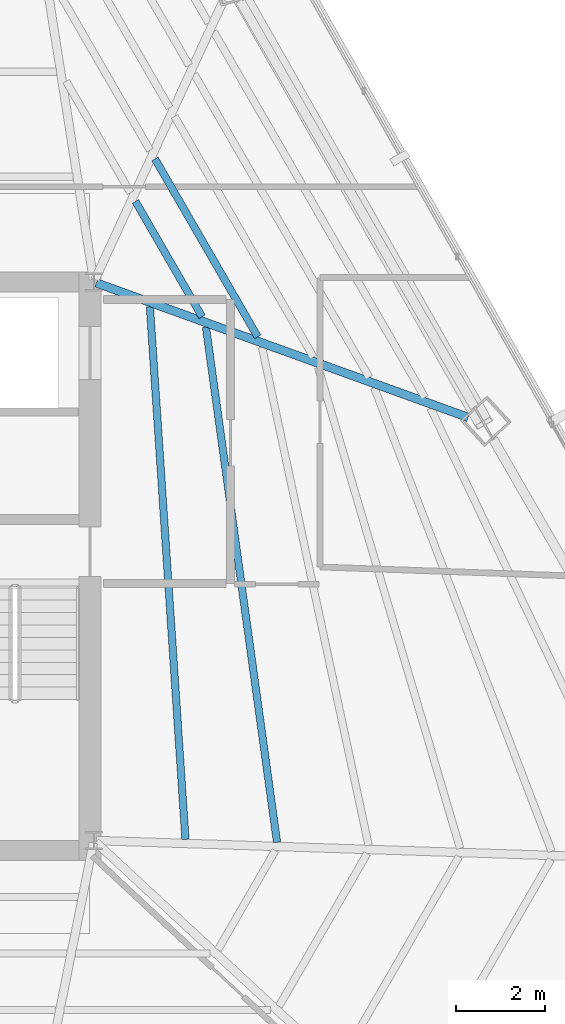
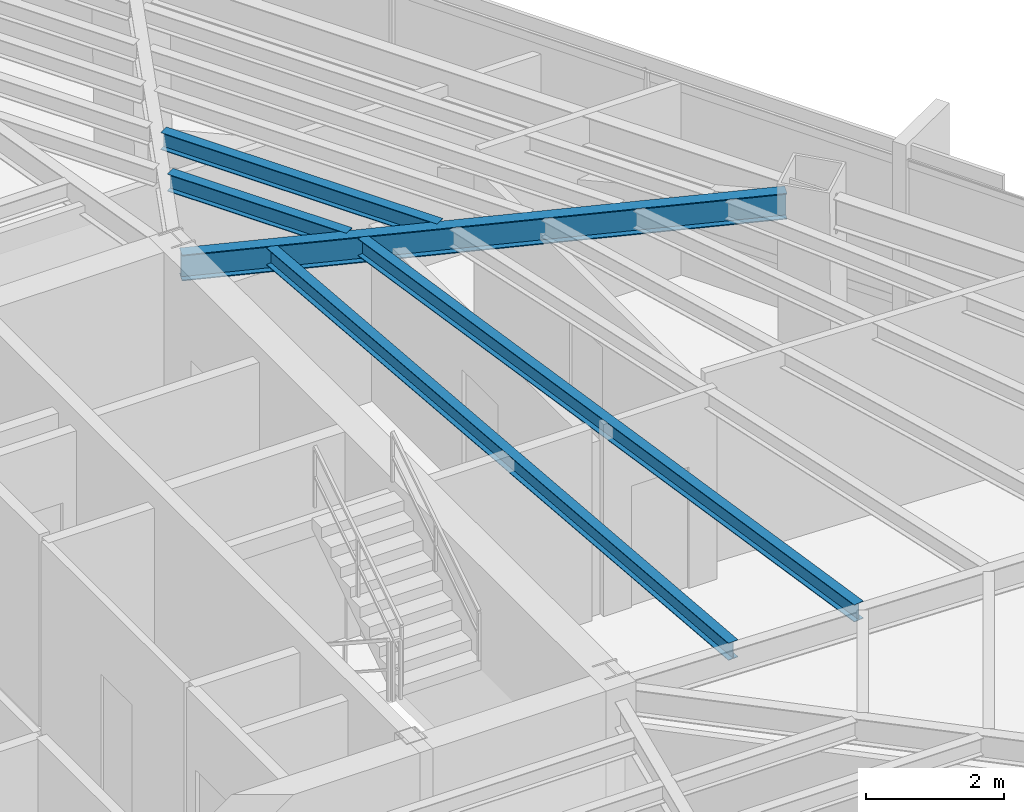
# One storey, part 25 of 41: 5 beams.
"""IFC4 building model written with IfcOpenShell, lengths in metres."""

from ifc_helpers import new_model, si_unit, direction, frame, origin, origin_2d, place, context, subcontext, project, spatial, i_section, extrude, source, transform, mapped, material, material_profile, profile_set, type_object, type_shapes, element, save


model = new_model("IFC4")

# Units and contexts
model_context = context("Model", 3, precision=1e-05, world=origin(), true_north=direction((0.0, 1.0)))
body_context = subcontext(model_context, "Body", "Model", "MODEL_VIEW")
ifc_project = project(units=[si_unit("LENGTHUNIT", "METRE"), si_unit("AREAUNIT", "SQUARE_METRE"), si_unit("VOLUMEUNIT", "CUBIC_METRE"), si_unit("PLANEANGLEUNIT", "RADIAN"), si_unit("MASSUNIT", "GRAM", prefix="KILO")], contexts=[model_context])

# Site, building, storey
site_placement = place(None, origin())
site = spatial("IfcSite", under=ifc_project, at=site_placement, CompositionType="ELEMENT")
building_placement = place(site_placement, origin())
building = spatial("IfcBuilding", under=site, at=building_placement, Name="Caelisora Broadcast Tower", CompositionType="ELEMENT")
storey_placement = place(building_placement, frame((0.0, 0.0, 209.60009765625)))
storey = spatial("IfcBuildingStorey", under=building, at=storey_placement, Name="L55", CompositionType="ELEMENT", Elevation=209.60009765625)

# Beams
ifc_material = material(Name="Steel Grade 350 (AS/NZS 3679.1)", Category="steel")
ifc_material_profile_1 = material_profile(ifc_material, i_section(OverallWidth=0.19091796875, OverallDepth=0.46044921875, WebThickness=0.010009765625, FlangeThickness=0.01611328125, at=origin_2d()), Name="Steel Grade 350 (AS/NZS 3679.1)")
ifc_profile_set_1 = profile_set([ifc_material_profile_1], Name="Steel Grade 350 (AS/NZS 3679.1)")
beam_type_1 = type_object("IfcBeamType", Name="PG06", PredefinedType="BEAM", material=ifc_profile_set_1)
shared_shape_1 = source(origin(), body_context, "Body", "SweptSolid", [
    extrude(i_section(OverallWidth=0.19091796875, OverallDepth=0.46044921875, WebThickness=0.010009765625, FlangeThickness=0.01611328125, at=origin_2d()), origin(), (0.0, 0.0, 1.0), 8.921142578125),
])
type_shapes(beam_type_1, [shared_shape_1])
beam_1_placement = place(storey_placement, frame((45.556396484375, 29.9794921875, 3.169677734375), z_axis=(0.940315682297, -0.340303419946, 0.0), x_axis=(0.340303419946, 0.940315682297, 0.0)))
element("IfcBeam", 1, at=beam_1_placement, inside=storey, type_object=beam_type_1, Name="L55 beam PG06", PredefinedType="BEAM", context=body_context, shape_type="MappedRepresentation", body=[
    mapped(shared_shape_1, transform((0.0, 0.0, 0.0), scale=1.0)),
])
ifc_material_profile_2 = material_profile(ifc_material, i_section(OverallWidth=0.166015625, OverallDepth=0.30712890625, WebThickness=0.006591796875, FlangeThickness=0.01171875, at=origin_2d()), Name="Steel Grade 350 (AS/NZS 3679.1)")
ifc_profile_set_2 = profile_set([ifc_material_profile_2], Name="Steel Grade 350 (AS/NZS 3679.1)")
beam_type_2 = type_object("IfcBeamType", Name="SB03", PredefinedType="JOIST", material=ifc_profile_set_2)
shared_shape_2 = source(origin(), body_context, "Body", "SweptSolid", [
    extrude(i_section(OverallWidth=0.166015625, OverallDepth=0.30712890625, WebThickness=0.006591796875, FlangeThickness=0.01171875, at=origin_2d()), origin(), (0.0, 0.0, 1.0), 3.00390625),
])
beam_2_placement = place(storey_placement, frame((47.941162109375, 29.216064453125, 3.246337890625), z_axis=(-0.499985098601, 0.86603400694, 0.0), x_axis=(-0.86603400694, -0.499985098601, 0.0)))
element("IfcBeam", 2, at=beam_2_placement, inside=storey, type_object=beam_type_2, Name="L55 beam SB03", PredefinedType="JOIST", context=body_context, shape_type="MappedRepresentation", body=[
    mapped(shared_shape_2, transform((0.0, 0.0, 0.0), scale=1.0)),
])
shared_shape_3 = source(origin(), body_context, "Body", "SweptSolid", [
    extrude(i_section(OverallWidth=0.166015625, OverallDepth=0.30712890625, WebThickness=0.006591796875, FlangeThickness=0.01171875, at=origin_2d()), origin(), (0.0, 0.0, 1.0), 4.635986328125),
])
beam_3_placement = place(storey_placement, frame((49.1982421875, 28.760986328125, 3.246337890625), z_axis=(-0.499979256952, 0.866037379458, 0.0), x_axis=(-0.866037379458, -0.499979256952, 0.0)))
element("IfcBeam", 3, at=beam_3_placement, inside=storey, type_object=beam_type_2, Name="L55 beam SB03", PredefinedType="JOIST", context=body_context, shape_type="MappedRepresentation", body=[
    mapped(shared_shape_3, transform((0.0, 0.0, 0.0), scale=1.0)),
])
shared_shape_4 = source(origin(), body_context, "Body", "SweptSolid", [
    extrude(i_section(OverallWidth=0.166015625, OverallDepth=0.30712890625, WebThickness=0.006591796875, FlangeThickness=0.01171875, at=origin_2d()), origin(), (0.0, 0.0, 1.0), 12.046142578125),
])
beam_4_placement = place(storey_placement, frame((47.566650390625, 17.4248046875, 3.246337890625), z_axis=(-0.066658907539, 0.997775821538, 0.0), x_axis=(-0.997775821538, -0.066658907539, 0.0)))
element("IfcBeam", 4, at=beam_4_placement, inside=storey, type_object=beam_type_2, Name="L55 beam SB03", PredefinedType="JOIST", context=body_context, shape_type="MappedRepresentation", body=[
    mapped(shared_shape_4, transform((0.0, 0.0, 0.0), scale=1.0)),
])
shared_shape_5 = source(origin(), body_context, "Body", "SweptSolid", [
    extrude(i_section(OverallWidth=0.166015625, OverallDepth=0.30712890625, WebThickness=0.006591796875, FlangeThickness=0.01171875, at=origin_2d()), origin(), (0.0, 0.0, 1.0), 11.739501953125),
])
type_shapes(beam_type_2, [shared_shape_2, shared_shape_3, shared_shape_4, shared_shape_5])
beam_5_placement = place(storey_placement, frame((49.6328125, 17.35693359375, 3.246337890625), z_axis=(-0.136673990956, 0.990616081131, 0.0), x_axis=(-0.990616081131, -0.136673990956, 0.0)))
element("IfcBeam", 5, at=beam_5_placement, inside=storey, type_object=beam_type_2, Name="L55 beam SB03", PredefinedType="JOIST", context=body_context, shape_type="MappedRepresentation", body=[
    mapped(shared_shape_5, transform((0.0, 0.0, 0.0), scale=1.0)),
])

save(model, "model.ifc")
